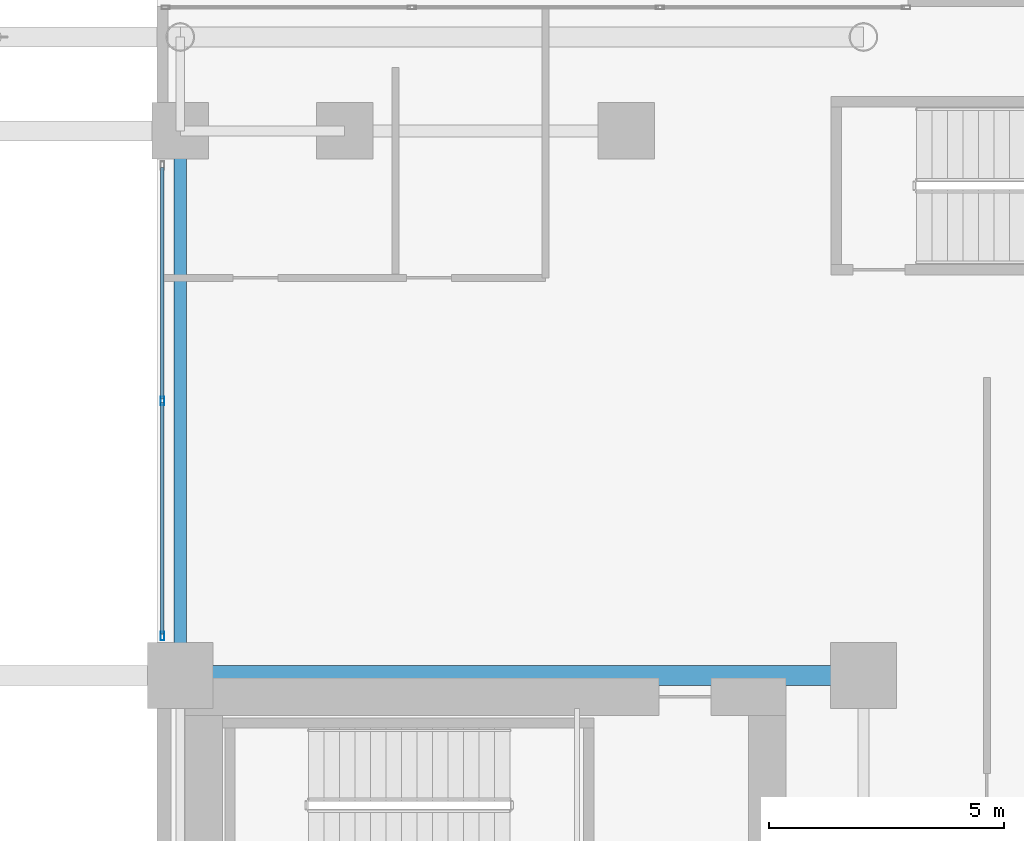
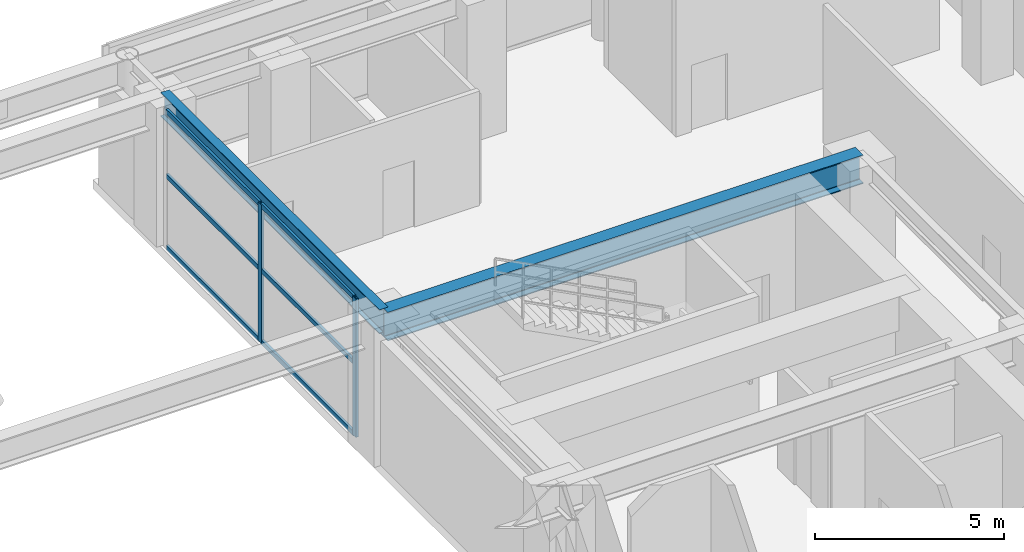
# One storey, part 17 of 30: 8 members, 2 beams, 1 element without a shape of its own.
"""IFC4 building model written with IfcOpenShell, lengths in metres."""

from ifc_helpers import new_model, si_unit, direction, frame, origin, origin_2d, place, context, subcontext, project, spatial, hollow_rectangle, i_section, extrude, source, transform, mapped, material, layer, layer_set, material_profile, profile_set, type_object, element, aggregate, save


model = new_model("IFC4")

# Units and contexts
model_context = context("Model", 3, precision=1e-05, world=origin(), true_north=direction((0.0, 1.0)))
body_context = subcontext(model_context, "Body", "Model", "MODEL_VIEW")
ifc_project = project(units=[si_unit("LENGTHUNIT", "METRE"), si_unit("AREAUNIT", "SQUARE_METRE"), si_unit("VOLUMEUNIT", "CUBIC_METRE"), si_unit("PLANEANGLEUNIT", "RADIAN"), si_unit("MASSUNIT", "GRAM", prefix="KILO")], contexts=[model_context])

# Site, building, storey
site_placement = place(None, origin())
site = spatial("IfcSite", under=ifc_project, at=site_placement, CompositionType="ELEMENT")
building_placement = place(site_placement, origin())
building = spatial("IfcBuilding", under=site, at=building_placement, Name="Ocotamira Hotel", CompositionType="ELEMENT")
storey_placement = place(building_placement, frame((0.0, 0.0, 19.199951171875)))
storey = spatial("IfcBuildingStorey", under=building, at=storey_placement, Name="L04", CompositionType="ELEMENT", Elevation=19.199951171875)

# Beams
ifc_material_1 = material(Name="Steel ASTM A992 Grade 50", Category="steel")
ifc_material_profile_1 = material_profile(ifc_material_1, i_section(OverallWidth=0.41796875, OverallDepth=0.927001953125, WebThickness=0.019287109375, FlangeThickness=0.031982421875, FilletRadius=0.02392578125, at=origin_2d()), Name="W36X231")
ifc_profile_set_1 = profile_set([ifc_material_profile_1], Name="Steel ASTM A992 Grade 50")
beam_type_1 = type_object("IfcBeamType", Name="BM-GIRD-W36X231", PredefinedType="BEAM", material=ifc_profile_set_1)
shared_shape_1 = source(origin(), body_context, "Body", "SweptSolid", [
    extrude(i_section(OverallWidth=0.41796875, OverallDepth=0.927001953125, WebThickness=0.019287109375, FlangeThickness=0.031982421875, FilletRadius=0.02392578125, at=origin_2d()), origin(), (0.0, 0.0, 1.0), 14.550048828125),
])
beam_1_placement = place(storey_placement, frame((40.5, 37.449951171875, 4.0166015625), z_axis=(1.0, 0.0, 0.0), x_axis=(0.0, 1.0, 0.0)))
element("IfcBeam", 1, at=beam_1_placement, inside=storey, type_object=beam_type_1, Name="L04 Girder Y37.45 X40.5-55.05", PredefinedType="BEAM", context=body_context, shape_type="MappedRepresentation", body=[
    mapped(shared_shape_1, transform((0.0, 0.0, 0.0), scale=1.0)),
])
ifc_material_profile_2 = material_profile(ifc_material_1, i_section(OverallWidth=0.26611328125, OverallDepth=0.779052734375, WebThickness=0.0166015625, FlangeThickness=0.030029296875, FilletRadius=0.01806640625, at=origin_2d()), Name="W30X148")
ifc_profile_set_2 = profile_set([ifc_material_profile_2], Name="Steel ASTM A992 Grade 50")
beam_type_2 = type_object("IfcBeamType", Name="BM-GIRD-W30X148", PredefinedType="BEAM", material=ifc_profile_set_2)
shared_shape_2 = source(origin(), body_context, "Body", "SweptSolid", [
    extrude(i_section(OverallWidth=0.26611328125, OverallDepth=0.779052734375, WebThickness=0.0166015625, FlangeThickness=0.030029296875, FilletRadius=0.01806640625, at=origin_2d()), origin(), (0.0, 0.0, 1.0), 11.60009765625),
])
beam_2_placement = place(storey_placement, frame((40.5, 37.449951171875, 4.090576171875), z_axis=(0.0, 1.0, 0.0), x_axis=(-1.0, 0.0, 0.0)))
element("IfcBeam", 2, at=beam_2_placement, inside=storey, type_object=beam_type_2, Name="L04 Beam X40.5 Y37.45-49.05", PredefinedType="BEAM", context=body_context, shape_type="MappedRepresentation", body=[
    mapped(shared_shape_2, transform((0.0, 0.0, 0.0), scale=1.0)),
])

# Curtain wall, members
ifc_material_2 = material(Name="Anodised pale-metal aluminium and solar glass", Category="aluminium")
ifc_layer = layer(ifc_material_2, 0.219970703125)
ifc_layer_set = layer_set([ifc_layer], Name="Anodised pale-metal aluminium and solar glass")
curtain_wall_type = type_object("IfcCurtainWallType", Name="CW-SYS1-POD", PredefinedType="NOTDEFINED", material=ifc_layer_set)
curtain_wall_placement = place(storey_placement, origin())
curtain_wall = element("IfcCurtainWall", 3, at=curtain_wall_placement, inside=storey, type_object=curtain_wall_type, Name="L04 Curtain Wall CW-1 CW-L04-AE-N", PredefinedType="NOTDEFINED")
ifc_material_3 = material(Name="Anodised pale-metal aluminium 6063-T6", Category="aluminium")
ifc_material_profile_3 = material_profile(ifc_material_3, hollow_rectangle(XDim=0.074951171875, YDim=0.14990234375, WallThickness=0.006103515625, at=origin_2d()), Name="HSS150X75X6")
ifc_profile_set_3 = profile_set([ifc_material_profile_3], Name="Anodised pale-metal aluminium 6063-T6")
member_type_1 = type_object("IfcMemberType", Name="CWT-150X75", PredefinedType="USERDEFINED", material=ifc_profile_set_3)
shared_shape_3 = source(origin(), body_context, "Body", "SweptSolid", [
    extrude(hollow_rectangle(XDim=0.074951171875, YDim=0.14990234375, WallThickness=0.006103515625, at=origin_2d()), origin(), (0.0, 0.0, 1.0), 4.929931640625),
])
member_1_placement = place(storey_placement, frame((40.1201171875, 38.330078125, 0.03759765625), z_axis=(0.0, 1.0, 0.0), x_axis=(-1.0, 0.0, 0.0)))
member_1 = element("IfcMember", 4, at=member_1_placement, type_object=member_type_1, Name="CW-1 transom 1.1", ObjectType="TRANSOM", PredefinedType="USERDEFINED", context=body_context, shape_type="MappedRepresentation", body=[
    mapped(shared_shape_3, transform((0.0, 0.0, 0.0), scale=1.0)),
])
member_2_placement = place(storey_placement, frame((40.1201171875, 38.330078125, 2.35009765625), z_axis=(0.0, 1.0, 0.0), x_axis=(-1.0, 0.0, 0.0)))
member_2 = element("IfcMember", 5, at=member_2_placement, type_object=member_type_1, Name="CW-1 transom 1.2", ObjectType="TRANSOM", PredefinedType="USERDEFINED", context=body_context, shape_type="MappedRepresentation", body=[
    mapped(shared_shape_3, transform((0.0, 0.0, 0.0), scale=1.0)),
])
member_3_placement = place(storey_placement, frame((40.1201171875, 38.330078125, 4.442626953125), z_axis=(0.0, 1.0, 0.0), x_axis=(-1.0, 0.0, 0.0)))
member_3 = element("IfcMember", 6, at=member_3_placement, type_object=member_type_1, Name="CW-1 transom 1.3", ObjectType="TRANSOM", PredefinedType="USERDEFINED", context=body_context, shape_type="MappedRepresentation", body=[
    mapped(shared_shape_3, transform((0.0, 0.0, 0.0), scale=1.0)),
])
member_4_placement = place(storey_placement, frame((40.1201171875, 43.340087890625, 0.03759765625), z_axis=(0.0, 1.0, 0.0), x_axis=(-1.0, 0.0, 0.0)))
member_4 = element("IfcMember", 7, at=member_4_placement, type_object=member_type_1, Name="CW-1 transom 2.1", ObjectType="TRANSOM", PredefinedType="USERDEFINED", context=body_context, shape_type="MappedRepresentation", body=[
    mapped(shared_shape_3, transform((0.0, 0.0, 0.0), scale=1.0)),
])
member_5_placement = place(storey_placement, frame((40.1201171875, 43.340087890625, 2.35009765625), z_axis=(0.0, 1.0, 0.0), x_axis=(-1.0, 0.0, 0.0)))
member_5 = element("IfcMember", 8, at=member_5_placement, type_object=member_type_1, Name="CW-1 transom 2.2", ObjectType="TRANSOM", PredefinedType="USERDEFINED", context=body_context, shape_type="MappedRepresentation", body=[
    mapped(shared_shape_3, transform((0.0, 0.0, 0.0), scale=1.0)),
])
member_6_placement = place(storey_placement, frame((40.1201171875, 43.340087890625, 4.442626953125), z_axis=(0.0, 1.0, 0.0), x_axis=(-1.0, 0.0, 0.0)))
member_6 = element("IfcMember", 9, at=member_6_placement, type_object=member_type_1, Name="CW-1 transom 2.3", ObjectType="TRANSOM", PredefinedType="USERDEFINED", context=body_context, shape_type="MappedRepresentation", body=[
    mapped(shared_shape_3, transform((0.0, 0.0, 0.0), scale=1.0)),
])
ifc_material_profile_4 = material_profile(ifc_material_3, hollow_rectangle(XDim=0.080078125, YDim=0.179931640625, WallThickness=0.006103515625, at=origin_2d()), Name="HSS180X80X6")
ifc_profile_set_4 = profile_set([ifc_material_profile_4], Name="Anodised pale-metal aluminium 6063-T6")
member_type_2 = type_object("IfcMemberType", Name="CWM-180X75", PredefinedType="MULLION", material=ifc_profile_set_4)
shared_shape_4 = source(origin(), body_context, "Body", "SweptSolid", [
    extrude(hollow_rectangle(XDim=0.080078125, YDim=0.179931640625, WallThickness=0.006103515625, at=origin_2d()), origin(), (0.0, 0.0, 1.0), 4.47998046875),
])
member_7_placement = place(storey_placement, frame((40.1201171875, 38.2900390625, 0.0), z_axis=(0.0, 0.0, 1.0), x_axis=(-1.0, 0.0, 0.0)))
member_7 = element("IfcMember", 10, at=member_7_placement, type_object=member_type_2, Name="CW-1 mullion 1", PredefinedType="MULLION", context=body_context, shape_type="MappedRepresentation", body=[
    mapped(shared_shape_4, transform((0.0, 0.0, 0.0), scale=1.0)),
])
member_8_placement = place(storey_placement, frame((40.1201171875, 43.300048828125, 0.0), z_axis=(0.0, 0.0, 1.0), x_axis=(-1.0, 0.0, 0.0)))
member_8 = element("IfcMember", 11, at=member_8_placement, type_object=member_type_2, Name="CW-1 mullion 2", PredefinedType="MULLION", context=body_context, shape_type="MappedRepresentation", body=[
    mapped(shared_shape_4, transform((0.0, 0.0, 0.0), scale=1.0)),
])
aggregate(curtain_wall, [member_7, member_8, member_1, member_2, member_3, member_4, member_5, member_6])

save(model, "model.ifc")
